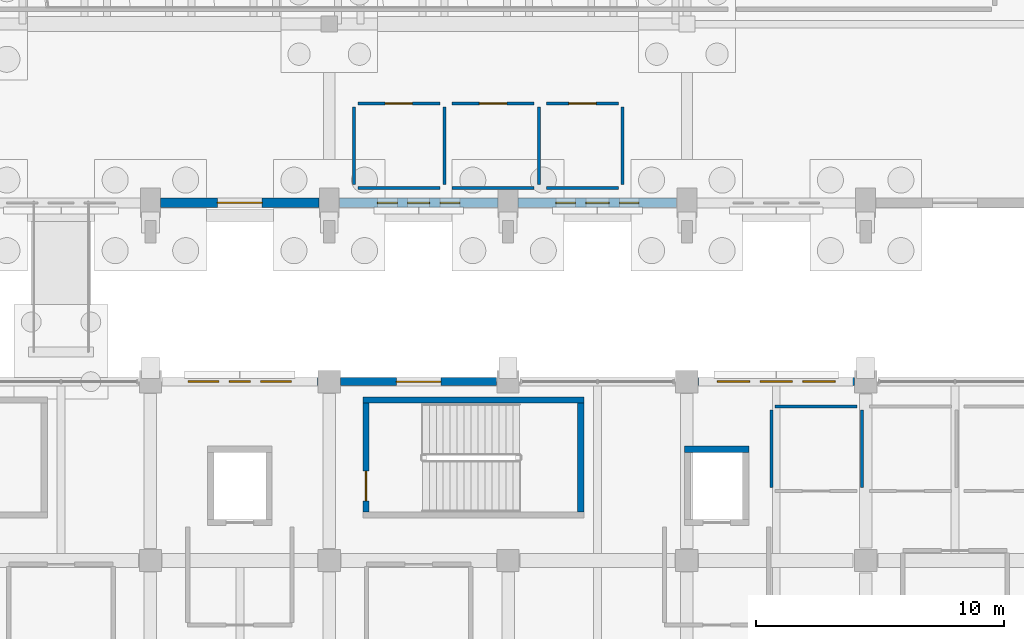
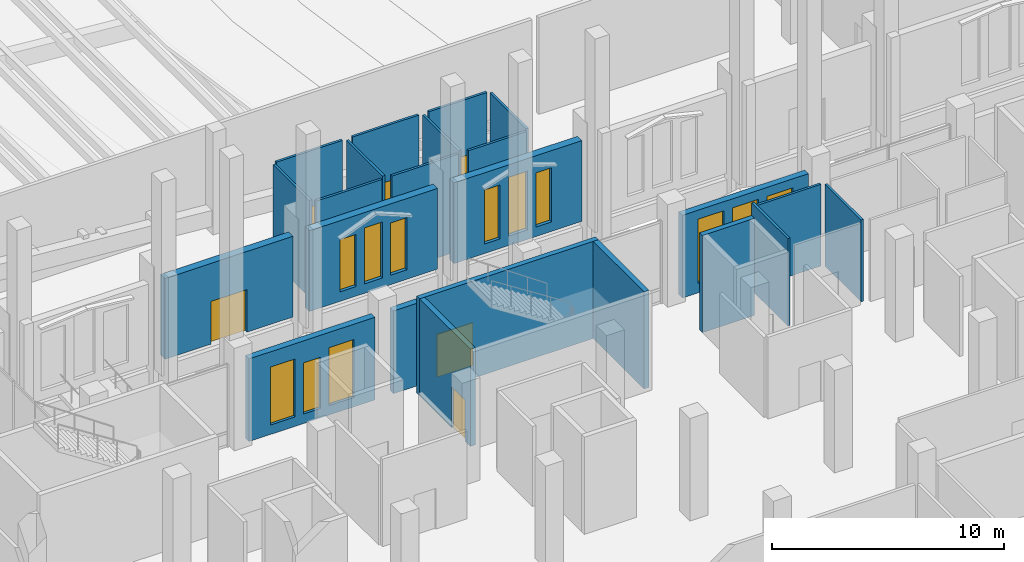
# One storey, part 141 of 192: 23 walls, 12 windows, 6 doors, 18 openings.
"""IFC4 building model written with IfcOpenShell, lengths in metres."""

import ifcopenshell
import ifcopenshell.guid

model = None  # the IFC model being written
_history = None  # IfcOwnerHistory: only IFC2X3 demands one
_inside = {}  # id of a spatial element -> (the spatial element, [elements in it])
_under = {}  # id of a project, library or spatial element -> (it, [spatial elements below it])
_declared = {}  # id of a project -> (the project, [libraries it declares])
_typed = {}  # id of a type object -> (the type object, [elements of that type])
_made_of = {}  # id of a material, layer set ... -> (it, [elements and type objects made of it])


def new_model(schema):
    """Start an empty IFC model of exactly this schema.

    Asked for "IFC4X3", IfcOpenShell would pick the latest addendum, in which some entities
    have other attributes; the version numbers below select the first issue.
    IFC2X3 requires an IfcOwnerHistory on every rooted entity: one is made here for all.
    """
    global model, _history
    if schema == "IFC4X3":
        model = ifcopenshell.file(schema_version=(4, 3, 0, 0))
    else:
        model = ifcopenshell.file(schema=schema)
    _inside.clear()
    _under.clear()
    _declared.clear()
    _typed.clear()
    _made_of.clear()
    _history = None
    if model.schema == "IFC2X3":
        org = make("IfcOrganization", Name="unknown")
        user = make(
            "IfcPersonAndOrganization",
            ThePerson=make("IfcPerson", FamilyName="unknown"),
            TheOrganization=org,
        )
        app = make(
            "IfcApplication",
            ApplicationDeveloper=org,
            Version="unknown",
            ApplicationFullName="unknown",
            ApplicationIdentifier="unknown",
        )
        _history = make(
            "IfcOwnerHistory",
            OwningUser=user,
            OwningApplication=app,
            ChangeAction="ADDED",
            CreationDate=0,
        )
    return model


def make(cls, **values):
    """One entity of the class cls with the attributes given. An attribute that is None is left unset."""
    return model.create_entity(
        cls, **{name: value for name, value in values.items() if value is not None}
    )


def rooted(cls, **values):
    """An entity with a GlobalId (a new one), such as an element, a storey or a relation."""
    return make(cls, GlobalId=ifcopenshell.guid.new(), OwnerHistory=_history, **values)


def si_unit(unit_type, name, prefix=None):
    """IfcSIUnit, for example si_unit("LENGTHUNIT", "METRE", prefix="MILLI")."""
    return make("IfcSIUnit", UnitType=unit_type, Prefix=prefix, Name=name)


def assignment(units):
    """IfcUnitAssignment: the units of a project."""
    return None if units is None else make("IfcUnitAssignment", Units=units)


def point(xyz):
    """IfcCartesianPoint."""
    return None if xyz is None else make("IfcCartesianPoint", Coordinates=xyz)


def direction(xyz):
    """IfcDirection."""
    return None if xyz is None else make("IfcDirection", DirectionRatios=xyz)


def frame(location, z_axis=None, x_axis=None):
    """IfcAxis2Placement3D, a coordinate frame: its origin and axes. An axis left out is left unset."""
    return make(
        "IfcAxis2Placement3D",
        Location=point(location),
        Axis=direction(z_axis),
        RefDirection=direction(x_axis),
    )


def frame_2d(location, x_axis=None):
    """IfcAxis2Placement2D, a coordinate frame in the plane: its origin and x axis."""
    return make(
        "IfcAxis2Placement2D", Location=point(location), RefDirection=direction(x_axis)
    )


def origin():
    """The frame at (0, 0, 0) with its axes left unset."""
    return frame((0.0, 0.0, 0.0))


def place(relative_to, where):
    """IfcLocalPlacement: puts the frame where relative to a parent placement (None: the world)."""
    return make(
        "IfcLocalPlacement", PlacementRelTo=relative_to, RelativePlacement=where
    )


def context(
    kind, dimensions, precision=None, world=None, true_north=None, identifier=None
):
    """IfcGeometricRepresentationContext, for example the 3D "Model" context."""
    return make(
        "IfcGeometricRepresentationContext",
        ContextIdentifier=identifier,
        ContextType=kind,
        CoordinateSpaceDimension=dimensions,
        Precision=precision,
        WorldCoordinateSystem=world,
        TrueNorth=true_north,
    )


def subcontext(parent, identifier, kind, view, scale=None):
    """IfcGeometricRepresentationSubContext, for example "Body" below "Model"."""
    return make(
        "IfcGeometricRepresentationSubContext",
        ContextIdentifier=identifier,
        ContextType=kind,
        ParentContext=parent,
        TargetScale=scale,
        TargetView=view,
    )


def project(units=None, contexts=None):
    """IfcProject with its units and contexts."""
    return rooted(
        "IfcProject",
        Name="project",
        RepresentationContexts=contexts,
        UnitsInContext=assignment(units),
    )


def spatial(cls, under=None, at=None, **own):
    """A site, building, storey or space (cls), placed at a placement, below another one or the project."""
    s = rooted(cls, ObjectPlacement=at, **own)
    if under is not None:
        _under.setdefault(under.id(), (under, []))[1].append(s)
    return s


def profile(cls, at=None, kind="AREA", **sizes):
    """A parametric profile (cls). Its sizes go by their IFC names, for example OverallWidth=200.0."""
    return make(cls, ProfileType=kind, Position=at, **sizes)


def rectangle(**sizes):
    """IfcRectangleProfileDef."""
    return profile("IfcRectangleProfileDef", **sizes)


def extrude(swept, where, along, depth):
    """IfcExtrudedAreaSolid: the profile swept, set in the frame where, extruded along a direction by depth."""
    return make(
        "IfcExtrudedAreaSolid",
        SweptArea=swept,
        Position=where,
        ExtrudedDirection=direction(along),
        Depth=depth,
    )


def shape(context_of_items, identifier, shape_type, items):
    """IfcShapeRepresentation: the items that make up one representation, for example the "Body"."""
    return make(
        "IfcShapeRepresentation",
        ContextOfItems=context_of_items,
        RepresentationIdentifier=identifier,
        RepresentationType=shape_type,
        Items=items,
    )


def material(Name=None, Category=None):
    """IfcMaterial."""
    return make("IfcMaterial", Name=Name, Category=Category)


def layer(
    of_material, thickness, ventilated=None, Name=None, Category=None, Priority=None
):
    """IfcMaterialLayer: one layer of a wall or slab, of a material (None: an air gap)."""
    return make(
        "IfcMaterialLayer",
        Material=of_material,
        LayerThickness=thickness,
        IsVentilated=ventilated,
        Name=Name,
        Category=Category,
        Priority=Priority,
    )


def layer_set(layers, Name=None):
    """IfcMaterialLayerSet."""
    return make("IfcMaterialLayerSet", MaterialLayers=layers, LayerSetName=Name)


def made_of(thing, what):
    """Note that an element or type object is made of a material, layer set ...; save() writes the relation."""
    if what is not None:
        _made_of.setdefault(what.id(), (what, []))[1].append(thing)
    return thing


def type_object(cls, material=None, **own):
    """A type object (cls), such as IfcWallType, which elements share."""
    return made_of(rooted(cls, **own), material)


def element(
    cls,
    number,
    at=None,
    inside=None,
    cuts=None,
    type_object=None,
    material=None,
    context=None,
    identifier="Body",
    shape_type=None,
    held_by="IfcProductDefinitionShape",
    body=None,
    shapes=None,
    **own,
):
    """One element of the class cls, such as IfcWall. Its Tag is "e" and its number.

    at: its placement. inside: the storey or other place that contains it. cuts: it is an
    opening in that element (IfcRelVoidsElement). A single representation is given by context,
    identifier, shape_type and body (its items); several are given by shapes. held_by: the class
    of the entity that holds the representations. save() writes the other relations.
    """
    e = rooted(cls, Tag="e%d" % number, ObjectPlacement=at, **own)
    if body is not None:
        shapes = [shape(context, identifier, shape_type, body)]
    if shapes is not None:
        e.Representation = make(held_by, Representations=shapes)
    if inside is not None:
        _inside.setdefault(inside.id(), (inside, []))[1].append(e)
    if cuts is not None:
        rooted(
            "IfcRelVoidsElement", RelatingBuildingElement=cuts, RelatedOpeningElement=e
        )
    if type_object is not None:
        _typed.setdefault(type_object.id(), (type_object, []))[1].append(e)
    return made_of(e, material)


def fill(opening, filler):
    """IfcRelFillsElement: the door or window that sits in an opening."""
    return rooted(
        "IfcRelFillsElement",
        RelatingOpeningElement=opening,
        RelatedBuildingElement=filler,
    )


def aggregate(whole, parts):
    """IfcRelAggregates: a whole, such as a stair, and the parts it consists of."""
    return rooted("IfcRelAggregates", RelatingObject=whole, RelatedObjects=parts)


def save(model, path):
    """Write the relations noted so far, then the file.

    IfcRelAggregates (storeys below a building ...), IfcRelContainedInSpatialStructure (elements
    in a storey), IfcRelDefinesByType, IfcRelAssociatesMaterial and IfcRelDeclares: one each for
    every whole, place, type object, material and project.
    """
    for whole, parts in _under.values():
        aggregate(whole, parts)
    for where, things in _inside.values():
        rooted(
            "IfcRelContainedInSpatialStructure",
            RelatedElements=things,
            RelatingStructure=where,
        )
    for kind, things in _typed.values():
        rooted("IfcRelDefinesByType", RelatedObjects=things, RelatingType=kind)
    for what, things in _made_of.values():
        rooted("IfcRelAssociatesMaterial", RelatedObjects=things, RelatingMaterial=what)
    for by, libraries in _declared.values():
        rooted("IfcRelDeclares", RelatingContext=by, RelatedDefinitions=libraries)
    model.write(path)


model = new_model("IFC4")

# Units and contexts
model_context = context("Model", 3, precision=1e-05, world=origin(), true_north=direction((0.0, 1.0)))
body_context = subcontext(model_context, "Body", "Model", "MODEL_VIEW")
ifc_project = project(units=[si_unit("LENGTHUNIT", "METRE"), si_unit("AREAUNIT", "SQUARE_METRE"), si_unit("VOLUMEUNIT", "CUBIC_METRE"), si_unit("PLANEANGLEUNIT", "RADIAN"), si_unit("MASSUNIT", "GRAM", prefix="KILO")], contexts=[model_context])

# Site, building, storey
site_placement = place(None, origin())
site = spatial("IfcSite", under=ifc_project, at=site_placement, CompositionType="ELEMENT")
building_placement = place(site_placement, origin())
building = spatial("IfcBuilding", under=site, at=building_placement, Name="Cendralis Lancet Convention Centre", CompositionType="ELEMENT")
storey_placement = place(building_placement, origin())
storey = spatial("IfcBuildingStorey", under=building, at=storey_placement, Name="L00", CompositionType="ELEMENT", Elevation=0.0)

# Wall, openings, windows
ifc_material_1 = material(Name="Buff sandstone ashlar and Concrete G40 (C40/50)", Category="masonry")
ifc_layer_1 = layer(ifc_material_1, 0.320068359375, Name="Buff sandstone ashlar and Concrete G40 (C40/50)")
ifc_layer_set_1 = layer_set([ifc_layer_1], Name="Buff sandstone ashlar and Concrete G40 (C40/50)")
wall_type_1 = type_object("IfcWallType", Name="ARC-EW-W320", PredefinedType="STANDARD", material=ifc_layer_set_1)
wall_1_placement = place(storey_placement, frame((161.258056640625, 36.0, 0.0), z_axis=(0.0, 0.0, 1.0), x_axis=(1.0, 0.0, 0.0)))
wall_1 = element("IfcWall", 1, at=wall_1_placement, inside=storey, type_object=wall_type_1, Name="L00 V5 Exterior Wall EW-06 #0249", PredefinedType="STANDARD", context=body_context, shape_type="SweptSolid", body=[
    extrude(rectangle(XDim=6.283935546875, YDim=0.320068359375, at=frame_2d((3.14208984375, 0.0))), origin(), (0.0, 0.0, 1.0), 4.35498046875),
])
opening_1_placement = place(wall_1_placement, frame((1.06201171875, 0.0, 0.5)))
opening_1 = element("IfcOpeningElement", 2, at=opening_1_placement, cuts=wall_1, Name="Opening WN-16", PredefinedType="OPENING", context=body_context, shape_type="SweptSolid", body=[
    extrude(rectangle(XDim=1.239990234375, YDim=3.050048828125, at=frame_2d((0.6201171875, 1.52490234375))), frame((0.0, 0.169921875, 0.0), z_axis=(0.0, -1.0, 0.0), x_axis=(1.0, 0.0, 0.0)), (0.0, 0.0, 1.0), 0.340087890625),
])
opening_2_placement = place(wall_1_placement, frame((2.721923828125, 0.0, 0.5)))
opening_2 = element("IfcOpeningElement", 3, at=opening_2_placement, cuts=wall_1, Name="Opening WN-15", PredefinedType="OPENING", context=body_context, shape_type="SweptSolid", body=[
    extrude(rectangle(XDim=0.840087890625, YDim=2.699951171875, at=frame_2d((0.419921875, 1.35009765625))), frame((0.0, 0.169921875, 0.0), z_axis=(0.0, -1.0, 0.0), x_axis=(1.0, 0.0, 0.0)), (0.0, 0.0, 1.0), 0.340087890625),
])
opening_3_placement = place(wall_1_placement, frame((3.98193359375, 0.0, 0.5)))
opening_3 = element("IfcOpeningElement", 4, at=opening_3_placement, cuts=wall_1, Name="Opening WN-16", PredefinedType="OPENING", context=body_context, shape_type="SweptSolid", body=[
    extrude(rectangle(XDim=1.239990234375, YDim=3.050048828125, at=frame_2d((0.6201171875, 1.52490234375))), frame((0.0, 0.169921875, 0.0), z_axis=(0.0, -1.0, 0.0), x_axis=(1.0, 0.0, 0.0)), (0.0, 0.0, 1.0), 0.340087890625),
])
ifc_material_2 = material(Name="Double-glazed low-E solar-control glass", Category="glass")
window_type_1 = type_object("IfcWindowType", Name="ARC-WN-LW15", PartitioningType="SINGLE_PANEL", PredefinedType="WINDOW", material=ifc_material_2)
window_1_placement = place(opening_2_placement, origin())
window_1 = element("IfcWindow", 5, at=window_1_placement, inside=storey, type_object=window_type_1, Name="Gothic Lancet Window WN-15 #0476", OverallHeight=2.699951171875, OverallWidth=0.840087890625, PartitioningType="SINGLE_PANEL", PredefinedType="WINDOW", context=body_context, shape_type="SweptSolid", body=[
    extrude(rectangle(XDim=0.840087890625, YDim=2.699951171875, at=frame_2d((0.419921875, 1.35009765625))), frame((0.0, 0.030029296875, 0.0), z_axis=(0.0, -1.0, 0.0), x_axis=(1.0, 0.0, 0.0)), (0.0, 0.0, 1.0), 0.06005859375),
])
fill(opening_2, window_1)
window_type_2 = type_object("IfcWindowType", Name="ARC-WN-LW16", PartitioningType="SINGLE_PANEL", PredefinedType="WINDOW", material=ifc_material_2)
window_2_placement = place(opening_1_placement, origin())
window_2 = element("IfcWindow", 6, at=window_2_placement, inside=storey, type_object=window_type_2, Name="Gothic Lancet Window WN-16 #0475", OverallHeight=3.050048828125, OverallWidth=1.239990234375, PartitioningType="SINGLE_PANEL", PredefinedType="WINDOW", context=body_context, shape_type="SweptSolid", body=[
    extrude(rectangle(XDim=1.239990234375, YDim=3.050048828125, at=frame_2d((0.6201171875, 1.52490234375))), frame((0.0, 0.030029296875, 0.0), z_axis=(0.0, -1.0, 0.0), x_axis=(1.0, 0.0, 0.0)), (0.0, 0.0, 1.0), 0.06005859375),
])
fill(opening_1, window_2)
window_3_placement = place(opening_3_placement, origin())
window_3 = element("IfcWindow", 7, at=window_3_placement, inside=storey, type_object=window_type_2, Name="Gothic Lancet Window WN-16 #0477", OverallHeight=3.050048828125, OverallWidth=1.239990234375, PartitioningType="SINGLE_PANEL", PredefinedType="WINDOW", context=body_context, shape_type="SweptSolid", body=[
    extrude(rectangle(XDim=1.239990234375, YDim=3.050048828125, at=frame_2d((0.6201171875, 1.52490234375))), frame((0.0, 0.030029296875, 0.0), z_axis=(0.0, -1.0, 0.0), x_axis=(1.0, 0.0, 0.0)), (0.0, 0.0, 1.0), 0.06005859375),
])
fill(opening_3, window_3)

# Wall, opening, door
wall_2_placement = place(storey_placement, frame((168.4580078125, 36.0, 0.0), z_axis=(0.0, 0.0, 1.0), x_axis=(1.0, 0.0, 0.0)))
wall_2 = element("IfcWall", 8, at=wall_2_placement, inside=storey, type_object=wall_type_1, Name="L00 V5 Exterior Wall EW-06 #0250", PredefinedType="STANDARD", context=body_context, shape_type="SweptSolid", body=[
    extrude(rectangle(XDim=6.283935546875, YDim=0.320068359375, at=frame_2d((3.14208984375, 0.0))), origin(), (0.0, 0.0, 1.0), 4.35498046875),
])
opening_4_placement = place(wall_2_placement, frame((2.241943359375, 0.0, 0.0)))
opening_4 = element("IfcOpeningElement", 9, at=opening_4_placement, cuts=wall_2, Name="Opening EX-D1", PredefinedType="OPENING", context=body_context, shape_type="SweptSolid", body=[
    extrude(rectangle(XDim=1.800048828125, YDim=2.25, at=frame_2d((0.89990234375, 1.125))), frame((0.0, 0.169921875, 0.0), z_axis=(0.0, -1.0, 0.0), x_axis=(1.0, 0.0, 0.0)), (0.0, 0.0, 1.0), 0.340087890625),
])
ifc_material_3 = material(Name="Anodised bronze architectural aluminium", Category="aluminium")
door_type_1 = type_object("IfcDoorType", Name="ARC-DR-EX18", OperationType="NOTDEFINED", PredefinedType="DOOR", material=ifc_material_3)
door_1_placement = place(opening_4_placement, origin())
door_1 = element("IfcDoor", 10, at=door_1_placement, inside=storey, type_object=door_type_1, Name="L00-D048 Pedestrian Final Exit Door EX-53 #053", OperationType="DOUBLE_DOOR_SINGLE_SWING", OverallHeight=2.25, OverallWidth=1.800048828125, PredefinedType="DOOR", context=body_context, shape_type="SweptSolid", body=[
    extrude(rectangle(XDim=1.800048828125, YDim=2.25, at=frame_2d((0.89990234375, 1.125))), frame((0.0, 0.02490234375, 0.0), z_axis=(0.0, -1.0, 0.0), x_axis=(1.0, 0.0, 0.0)), (0.0, 0.0, 1.0), 0.050048828125),
])
fill(opening_4, door_1)

# Wall, openings, windows
wall_3_placement = place(storey_placement, frame((182.85791015625, 36.0, 0.0), z_axis=(0.0, 0.0, 1.0), x_axis=(1.0, 0.0, 0.0)))
wall_3 = element("IfcWall", 11, at=wall_3_placement, inside=storey, type_object=wall_type_1, Name="L00 V5 Exterior Wall EW-06 #0251", PredefinedType="STANDARD", context=body_context, shape_type="SweptSolid", body=[
    extrude(rectangle(XDim=6.2841796875, YDim=0.320068359375, at=frame_2d((3.14208984375, 0.0))), origin(), (0.0, 0.0, 1.0), 4.35498046875),
])
opening_5_placement = place(wall_3_placement, frame((0.77197265625, 0.0, 0.5)))
opening_5 = element("IfcOpeningElement", 12, at=opening_5_placement, cuts=wall_3, Name="Opening WN-18", PredefinedType="OPENING", context=body_context, shape_type="SweptSolid", body=[
    extrude(rectangle(XDim=1.300048828125, YDim=3.3798828125, at=frame_2d((0.64990234375, 1.68994140625))), frame((0.0, 0.169921875, 0.0), z_axis=(0.0, -1.0, 0.0), x_axis=(1.0, 0.0, 0.0)), (0.0, 0.0, 1.0), 0.340087890625),
])
opening_6_placement = place(wall_3_placement, frame((2.491943359375, 0.0, 0.5)))
opening_6 = element("IfcOpeningElement", 13, at=opening_6_placement, cuts=wall_3, Name="Opening WN-18", PredefinedType="OPENING", context=body_context, shape_type="SweptSolid", body=[
    extrude(rectangle(XDim=1.300048828125, YDim=3.3798828125, at=frame_2d((0.64990234375, 1.68994140625))), frame((0.0, 0.169921875, 0.0), z_axis=(0.0, -1.0, 0.0), x_axis=(1.0, 0.0, 0.0)), (0.0, 0.0, 1.0), 0.340087890625),
])
opening_7_placement = place(wall_3_placement, frame((4.2119140625, 0.0, 0.5)))
opening_7 = element("IfcOpeningElement", 14, at=opening_7_placement, cuts=wall_3, Name="Opening WN-18", PredefinedType="OPENING", context=body_context, shape_type="SweptSolid", body=[
    extrude(rectangle(XDim=1.300048828125, YDim=3.3798828125, at=frame_2d((0.64990234375, 1.68994140625))), frame((0.0, 0.169921875, 0.0), z_axis=(0.0, -1.0, 0.0), x_axis=(1.0, 0.0, 0.0)), (0.0, 0.0, 1.0), 0.340087890625),
])
window_type_3 = type_object("IfcWindowType", Name="ARC-WN-LW18", PartitioningType="SINGLE_PANEL", PredefinedType="WINDOW", material=ifc_material_2)
window_4_placement = place(opening_5_placement, origin())
window_4 = element("IfcWindow", 15, at=window_4_placement, inside=storey, type_object=window_type_3, Name="Gothic Lancet Window WN-18 #0478", OverallHeight=3.3798828125, OverallWidth=1.300048828125, PartitioningType="SINGLE_PANEL", PredefinedType="WINDOW", context=body_context, shape_type="SweptSolid", body=[
    extrude(rectangle(XDim=1.300048828125, YDim=3.3798828125, at=frame_2d((0.64990234375, 1.68994140625))), frame((0.0, 0.030029296875, 0.0), z_axis=(0.0, -1.0, 0.0), x_axis=(1.0, 0.0, 0.0)), (0.0, 0.0, 1.0), 0.06005859375),
])
fill(opening_5, window_4)
window_5_placement = place(opening_6_placement, origin())
window_5 = element("IfcWindow", 16, at=window_5_placement, inside=storey, type_object=window_type_3, Name="Gothic Lancet Window WN-18 #0479", OverallHeight=3.3798828125, OverallWidth=1.300048828125, PartitioningType="SINGLE_PANEL", PredefinedType="WINDOW", context=body_context, shape_type="SweptSolid", body=[
    extrude(rectangle(XDim=1.300048828125, YDim=3.3798828125, at=frame_2d((0.64990234375, 1.68994140625))), frame((0.0, 0.030029296875, 0.0), z_axis=(0.0, -1.0, 0.0), x_axis=(1.0, 0.0, 0.0)), (0.0, 0.0, 1.0), 0.06005859375),
])
fill(opening_6, window_5)
window_6_placement = place(opening_7_placement, origin())
window_6 = element("IfcWindow", 17, at=window_6_placement, inside=storey, type_object=window_type_3, Name="Gothic Lancet Window WN-18 #0480", OverallHeight=3.3798828125, OverallWidth=1.300048828125, PartitioningType="SINGLE_PANEL", PredefinedType="WINDOW", context=body_context, shape_type="SweptSolid", body=[
    extrude(rectangle(XDim=1.300048828125, YDim=3.3798828125, at=frame_2d((0.64990234375, 1.68994140625))), frame((0.0, 0.030029296875, 0.0), z_axis=(0.0, -1.0, 0.0), x_axis=(1.0, 0.0, 0.0)), (0.0, 0.0, 1.0), 0.06005859375),
])
fill(opening_7, window_6)

# Wall, opening, door
ifc_layer_2 = layer(ifc_material_1, 0.3798828125, Name="Buff sandstone ashlar and Concrete G40 (C40/50)")
ifc_layer_set_2 = layer_set([ifc_layer_2], Name="Buff sandstone ashlar and Concrete G40 (C40/50)")
wall_type_2 = type_object("IfcWallType", Name="ARC-EW-W380", PredefinedType="STANDARD", material=ifc_layer_set_2)
wall_4_placement = place(storey_placement, frame((167.592041015625, 43.199951171875, 0.0), z_axis=(0.0, 0.0, 1.0), x_axis=(-1.0, 0.0, 0.0)))
wall_4 = element("IfcWall", 18, at=wall_4_placement, inside=storey, type_object=wall_type_2, Name="L00 V2 Exterior Wall EW-03 #0070", PredefinedType="STANDARD", context=body_context, shape_type="SweptSolid", body=[
    extrude(rectangle(XDim=6.384033203125, YDim=0.3798828125, at=frame_2d((3.19189453125, 0.0))), origin(), (0.0, 0.0, 1.0), 4.2548828125),
])
opening_8_placement = place(wall_4_placement, frame((2.2919921875, 0.0, 0.0)))
opening_8 = element("IfcOpeningElement", 19, at=opening_8_placement, cuts=wall_4, Name="Opening EX-D1", PredefinedType="OPENING", context=body_context, shape_type="SweptSolid", body=[
    extrude(rectangle(XDim=1.800048828125, YDim=2.25, at=frame_2d((0.89990234375, 1.125))), frame((0.0, 0.199951171875, 0.0), z_axis=(0.0, -1.0, 0.0), x_axis=(1.0, 0.0, 0.0)), (0.0, 0.0, 1.0), 0.39990234375),
])
door_2_placement = place(opening_8_placement, origin())
door_2 = element("IfcDoor", 20, at=door_2_placement, inside=storey, type_object=door_type_1, Name="L00-D028 Pedestrian Final Exit Door EX-28 #028", OperationType="DOUBLE_DOOR_SINGLE_SWING", OverallHeight=2.25, OverallWidth=1.800048828125, PredefinedType="DOOR", context=body_context, shape_type="SweptSolid", body=[
    extrude(rectangle(XDim=1.800048828125, YDim=2.25, at=frame_2d((0.89990234375, 1.125))), frame((0.0, 0.02490234375, 0.0), z_axis=(0.0, -1.0, 0.0), x_axis=(1.0, 0.0, 0.0)), (0.0, 0.0, 1.0), 0.050048828125),
])
fill(opening_8, door_2)

# Wall, openings, windows
wall_5_placement = place(storey_placement, frame((174.7919921875, 43.199951171875, 0.0), z_axis=(0.0, 0.0, 1.0), x_axis=(-1.0, 0.0, 0.0)))
wall_5 = element("IfcWall", 21, at=wall_5_placement, inside=storey, type_object=wall_type_2, Name="L00 V2 Exterior Wall EW-03 #0071", PredefinedType="STANDARD", context=body_context, shape_type="SweptSolid", body=[
    extrude(rectangle(XDim=6.384033203125, YDim=0.3798828125, at=frame_2d((3.19189453125, 0.0))), origin(), (0.0, 0.0, 1.0), 4.2548828125),
])
opening_9_placement = place(wall_5_placement, frame((1.531982421875, 0.0, 0.5)))
opening_9 = element("IfcOpeningElement", 22, at=opening_9_placement, cuts=wall_5, Name="Opening WN-07", PredefinedType="OPENING", context=body_context, shape_type="SweptSolid", body=[
    extrude(rectangle(XDim=0.800048828125, YDim=2.75, at=frame_2d((0.39990234375, 1.375))), frame((0.0, 0.199951171875, 0.0), z_axis=(0.0, -1.0, 0.0), x_axis=(1.0, 0.0, 0.0)), (0.0, 0.0, 1.0), 0.39990234375),
])
opening_10_placement = place(wall_5_placement, frame((2.751953125, 0.0, 0.5)))
opening_10 = element("IfcOpeningElement", 23, at=opening_10_placement, cuts=wall_5, Name="Opening WN-08", PredefinedType="OPENING", context=body_context, shape_type="SweptSolid", body=[
    extrude(rectangle(XDim=0.8798828125, YDim=2.949951171875, at=frame_2d((0.43994140625, 1.47509765625))), frame((0.0, 0.199951171875, 0.0), z_axis=(0.0, -1.0, 0.0), x_axis=(1.0, 0.0, 0.0)), (0.0, 0.0, 1.0), 0.39990234375),
])
opening_11_placement = place(wall_5_placement, frame((4.052001953125, 0.0, 0.5)))
opening_11 = element("IfcOpeningElement", 24, at=opening_11_placement, cuts=wall_5, Name="Opening WN-07", PredefinedType="OPENING", context=body_context, shape_type="SweptSolid", body=[
    extrude(rectangle(XDim=0.800048828125, YDim=2.75, at=frame_2d((0.39990234375, 1.375))), frame((0.0, 0.199951171875, 0.0), z_axis=(0.0, -1.0, 0.0), x_axis=(1.0, 0.0, 0.0)), (0.0, 0.0, 1.0), 0.39990234375),
])
window_type_4 = type_object("IfcWindowType", Name="ARC-WN-LW07", PartitioningType="SINGLE_PANEL", PredefinedType="WINDOW", material=ifc_material_2)
window_7_placement = place(opening_9_placement, origin())
window_7 = element("IfcWindow", 25, at=window_7_placement, inside=storey, type_object=window_type_4, Name="Gothic Lancet Window WN-07 #0112", OverallHeight=2.75, OverallWidth=0.800048828125, PartitioningType="SINGLE_PANEL", PredefinedType="WINDOW", context=body_context, shape_type="SweptSolid", body=[
    extrude(rectangle(XDim=0.800048828125, YDim=2.75, at=frame_2d((0.39990234375, 1.375))), frame((0.0, 0.030029296875, 0.0), z_axis=(0.0, -1.0, 0.0), x_axis=(1.0, 0.0, 0.0)), (0.0, 0.0, 1.0), 0.06005859375),
])
fill(opening_9, window_7)
window_8_placement = place(opening_11_placement, origin())
window_8 = element("IfcWindow", 26, at=window_8_placement, inside=storey, type_object=window_type_4, Name="Gothic Lancet Window WN-07 #0114", OverallHeight=2.75, OverallWidth=0.800048828125, PartitioningType="SINGLE_PANEL", PredefinedType="WINDOW", context=body_context, shape_type="SweptSolid", body=[
    extrude(rectangle(XDim=0.800048828125, YDim=2.75, at=frame_2d((0.39990234375, 1.375))), frame((0.0, 0.030029296875, 0.0), z_axis=(0.0, -1.0, 0.0), x_axis=(1.0, 0.0, 0.0)), (0.0, 0.0, 1.0), 0.06005859375),
])
fill(opening_11, window_8)
window_type_5 = type_object("IfcWindowType", Name="ARC-WN-LW08", PartitioningType="SINGLE_PANEL", PredefinedType="WINDOW", material=ifc_material_2)
window_9_placement = place(opening_10_placement, origin())
window_9 = element("IfcWindow", 27, at=window_9_placement, inside=storey, type_object=window_type_5, Name="Gothic Lancet Window WN-08 #0113", OverallHeight=2.949951171875, OverallWidth=0.8798828125, PartitioningType="SINGLE_PANEL", PredefinedType="WINDOW", context=body_context, shape_type="SweptSolid", body=[
    extrude(rectangle(XDim=0.8798828125, YDim=2.949951171875, at=frame_2d((0.43994140625, 1.47509765625))), frame((0.0, 0.030029296875, 0.0), z_axis=(0.0, -1.0, 0.0), x_axis=(1.0, 0.0, 0.0)), (0.0, 0.0, 1.0), 0.06005859375),
])
fill(opening_10, window_9)

wall_6_placement = place(storey_placement, frame((181.991943359375, 43.199951171875, 0.0), z_axis=(0.0, 0.0, 1.0), x_axis=(-1.0, 0.0, 0.0)))
wall_6 = element("IfcWall", 28, at=wall_6_placement, inside=storey, type_object=wall_type_2, Name="L00 V2 Exterior Wall EW-03 #0072", PredefinedType="STANDARD", context=body_context, shape_type="SweptSolid", body=[
    extrude(rectangle(XDim=6.384033203125, YDim=0.3798828125, at=frame_2d((3.19189453125, 0.0))), origin(), (0.0, 0.0, 1.0), 4.2548828125),
])
opening_12_placement = place(wall_6_placement, frame((1.52197265625, 0.0, 0.5)))
opening_12 = element("IfcOpeningElement", 29, at=opening_12_placement, cuts=wall_6, Name="Opening WN-01", PredefinedType="OPENING", context=body_context, shape_type="SweptSolid", body=[
    extrude(rectangle(XDim=0.780029296875, YDim=2.85009765625, at=frame_2d((0.39013671875, 1.425048828125))), frame((0.0, 0.199951171875, 0.0), z_axis=(0.0, -1.0, 0.0), x_axis=(1.0, 0.0, 0.0)), (0.0, 0.0, 1.0), 0.39990234375),
])
opening_13_placement = place(wall_6_placement, frame((2.721923828125, 0.0, 0.5)))
opening_13 = element("IfcOpeningElement", 30, at=opening_13_placement, cuts=wall_6, Name="Opening WN-09", PredefinedType="OPENING", context=body_context, shape_type="SweptSolid", body=[
    extrude(rectangle(XDim=0.93994140625, YDim=3.10009765625, at=frame_2d((0.469970703125, 1.550048828125))), frame((0.0, 0.199951171875, 0.0), z_axis=(0.0, -1.0, 0.0), x_axis=(1.0, 0.0, 0.0)), (0.0, 0.0, 1.0), 0.39990234375),
])
opening_14_placement = place(wall_6_placement, frame((4.08203125, 0.0, 0.5)))
opening_14 = element("IfcOpeningElement", 31, at=opening_14_placement, cuts=wall_6, Name="Opening WN-01", PredefinedType="OPENING", context=body_context, shape_type="SweptSolid", body=[
    extrude(rectangle(XDim=0.780029296875, YDim=2.85009765625, at=frame_2d((0.39013671875, 1.425048828125))), frame((0.0, 0.199951171875, 0.0), z_axis=(0.0, -1.0, 0.0), x_axis=(1.0, 0.0, 0.0)), (0.0, 0.0, 1.0), 0.39990234375),
])
window_type_6 = type_object("IfcWindowType", Name="ARC-WN-LW01", PartitioningType="SINGLE_PANEL", PredefinedType="WINDOW", material=ifc_material_2)
window_10_placement = place(opening_12_placement, origin())
window_10 = element("IfcWindow", 32, at=window_10_placement, inside=storey, type_object=window_type_6, Name="Gothic Lancet Window WN-01 #0115", OverallHeight=2.85009765625, OverallWidth=0.780029296875, PartitioningType="SINGLE_PANEL", PredefinedType="WINDOW", context=body_context, shape_type="SweptSolid", body=[
    extrude(rectangle(XDim=0.780029296875, YDim=2.85009765625, at=frame_2d((0.39013671875, 1.425048828125))), frame((0.0, 0.030029296875, 0.0), z_axis=(0.0, -1.0, 0.0), x_axis=(1.0, 0.0, 0.0)), (0.0, 0.0, 1.0), 0.06005859375),
])
fill(opening_12, window_10)
window_11_placement = place(opening_14_placement, origin())
window_11 = element("IfcWindow", 33, at=window_11_placement, inside=storey, type_object=window_type_6, Name="Gothic Lancet Window WN-01 #0117", OverallHeight=2.85009765625, OverallWidth=0.780029296875, PartitioningType="SINGLE_PANEL", PredefinedType="WINDOW", context=body_context, shape_type="SweptSolid", body=[
    extrude(rectangle(XDim=0.780029296875, YDim=2.85009765625, at=frame_2d((0.39013671875, 1.425048828125))), frame((0.0, 0.030029296875, 0.0), z_axis=(0.0, -1.0, 0.0), x_axis=(1.0, 0.0, 0.0)), (0.0, 0.0, 1.0), 0.06005859375),
])
fill(opening_14, window_11)
window_type_7 = type_object("IfcWindowType", Name="ARC-WN-LW09", PartitioningType="SINGLE_PANEL", PredefinedType="WINDOW", material=ifc_material_2)
window_12_placement = place(opening_13_placement, origin())
window_12 = element("IfcWindow", 34, at=window_12_placement, inside=storey, type_object=window_type_7, Name="Gothic Lancet Window WN-09 #0116", OverallHeight=3.10009765625, OverallWidth=0.93994140625, PartitioningType="SINGLE_PANEL", PredefinedType="WINDOW", context=body_context, shape_type="SweptSolid", body=[
    extrude(rectangle(XDim=0.93994140625, YDim=3.10009765625, at=frame_2d((0.469970703125, 1.550048828125))), frame((0.0, 0.030029296875, 0.0), z_axis=(0.0, -1.0, 0.0), x_axis=(1.0, 0.0, 0.0)), (0.0, 0.0, 1.0), 0.06005859375),
])
fill(opening_13, window_12)

# Wall, opening, door
ifc_material_4 = material(Name="Acoustic fire-rated gypsum board on steel studs", Category="steel")
ifc_layer_3 = layer(ifc_material_4, 0.1201171875, Name="Acoustic fire-rated gypsum board on steel studs")
ifc_layer_set_3 = layer_set([ifc_layer_3], Name="Acoustic fire-rated gypsum board on steel studs")
wall_type_3 = type_object("IfcWallType", Name="ARC-IW-P120", PredefinedType="PARTITIONING", material=ifc_layer_set_3)
wall_7_placement = place(storey_placement, frame((169.14990234375, 47.199951171875, 0.0), z_axis=(0.0, 0.0, 1.0), x_axis=(1.0, 0.0, 0.0)))
wall_7 = element("IfcWall", 35, at=wall_7_placement, inside=storey, type_object=wall_type_3, Name="L00 Interior Partition IW-05 #0069", PredefinedType="PARTITIONING", context=body_context, shape_type="SweptSolid", body=[
    extrude(rectangle(XDim=3.300048828125, YDim=0.1201171875, at=frame_2d((1.64990234375, 0.0))), origin(), (0.0, 0.0, 1.0), 5.10498046875),
])
opening_15_placement = place(wall_7_placement, frame((1.10009765625, 0.0, 0.0)))
opening_15 = element("IfcOpeningElement", 36, at=opening_15_placement, cuts=wall_7, Name="Opening FD-11", PredefinedType="OPENING", context=body_context, shape_type="SweptSolid", body=[
    extrude(rectangle(XDim=1.10009765625, YDim=2.14990234375, at=frame_2d((0.550048828125, 1.074951171875))), frame((0.0, 0.070068359375, 0.0), z_axis=(0.0, -1.0, 0.0), x_axis=(1.0, 0.0, 0.0)), (0.0, 0.0, 1.0), 0.14013671875),
])
ifc_material_5 = material(Name="Steel S355", Category="steel")
door_type_2 = type_object("IfcDoorType", Name="ARC-DR-FF11", OperationType="NOTDEFINED", PredefinedType="DOOR", material=ifc_material_5)
door_3_placement = place(opening_15_placement, frame((1.10009765625, 0.0, 0.0), z_axis=(0.0, 0.0, 1.0), x_axis=(-1.0, 0.0, 0.0)))
door_3 = element("IfcDoor", 37, at=door_3_placement, inside=storey, type_object=door_type_2, Name="L00-D063 L00 Interior Door FD-11 #0023", OperationType="SINGLE_SWING_LEFT", OverallHeight=2.14990234375, OverallWidth=1.10009765625, PredefinedType="DOOR", context=body_context, shape_type="SweptSolid", body=[
    extrude(rectangle(XDim=1.10009765625, YDim=2.14990234375, at=frame_2d((0.550048828125, 1.074951171875))), frame((0.0, 0.02490234375, 0.0), z_axis=(0.0, -1.0, 0.0), x_axis=(1.0, 0.0, 0.0)), (0.0, 0.0, 1.0), 0.050048828125),
])
fill(opening_15, door_3)

# Walls
wall_8_placement = place(storey_placement, frame((169.14990234375, 43.800048828125, 0.0), z_axis=(0.0, 0.0, 1.0), x_axis=(1.0, 0.0, 0.0)))
element("IfcWall", 38, at=wall_8_placement, inside=storey, type_object=wall_type_3, Name="L00 Interior Partition IW-05 #0070", PredefinedType="PARTITIONING", context=body_context, shape_type="SweptSolid", body=[
    extrude(rectangle(XDim=3.300048828125, YDim=0.1201171875, at=frame_2d((1.64990234375, 0.0))), origin(), (0.0, 0.0, 1.0), 5.10498046875),
])
for number, where, z_axis, x_axis, name in (
    (39, (169.0, 43.93994140625, 0.0), (0.0, 0.0, 1.0), (0.0, 1.0, 0.0), "L00 Interior Partition IW-05 #0071"),
    (40, (172.64990234375, 43.93994140625, 0.0), (0.0, 0.0, 1.0), (0.0, 1.0, 0.0), "L00 Interior Partition IW-05 #0072"),
):
    element("IfcWall", number, at=place(storey_placement, frame(where, z_axis=z_axis, x_axis=x_axis)), inside=storey, type_object=wall_type_3, Name=name, PredefinedType="PARTITIONING", context=body_context, shape_type="SweptSolid", body=[
        extrude(rectangle(XDim=3.1201171875, YDim=0.1201171875, at=frame_2d((1.56005859375, 0.0))), origin(), (0.0, 0.0, 1.0), 5.10498046875),
    ])

# Wall, opening, door
wall_9_placement = place(storey_placement, frame((172.949951171875, 47.199951171875, 0.0), z_axis=(0.0, 0.0, 1.0), x_axis=(1.0, 0.0, 0.0)))
wall_9 = element("IfcWall", 41, at=wall_9_placement, inside=storey, type_object=wall_type_3, Name="L00 Interior Partition IW-05 #0073", PredefinedType="PARTITIONING", context=body_context, shape_type="SweptSolid", body=[
    extrude(rectangle(XDim=3.300048828125, YDim=0.1201171875, at=frame_2d((1.64990234375, 0.0))), origin(), (0.0, 0.0, 1.0), 5.10498046875),
])
opening_16_placement = place(wall_9_placement, frame((1.10009765625, 0.0, 0.0)))
opening_16 = element("IfcOpeningElement", 42, at=opening_16_placement, cuts=wall_9, Name="Opening FD-11", PredefinedType="OPENING", context=body_context, shape_type="SweptSolid", body=[
    extrude(rectangle(XDim=1.10009765625, YDim=2.14990234375, at=frame_2d((0.550048828125, 1.074951171875))), frame((0.0, 0.070068359375, 0.0), z_axis=(0.0, -1.0, 0.0), x_axis=(1.0, 0.0, 0.0)), (0.0, 0.0, 1.0), 0.14013671875),
])
door_4_placement = place(opening_16_placement, origin())
door_4 = element("IfcDoor", 43, at=door_4_placement, inside=storey, type_object=door_type_2, Name="L00-D064 L00 Interior Door FD-11 #0024", OperationType="SINGLE_SWING_RIGHT", OverallHeight=2.14990234375, OverallWidth=1.10009765625, PredefinedType="DOOR", context=body_context, shape_type="SweptSolid", body=[
    extrude(rectangle(XDim=1.10009765625, YDim=2.14990234375, at=frame_2d((0.550048828125, 1.074951171875))), frame((0.0, 0.02490234375, 0.0), z_axis=(0.0, -1.0, 0.0), x_axis=(1.0, 0.0, 0.0)), (0.0, 0.0, 1.0), 0.050048828125),
])
fill(opening_16, door_4)

# Walls
wall_10_placement = place(storey_placement, frame((172.949951171875, 43.800048828125, 0.0), z_axis=(0.0, 0.0, 1.0), x_axis=(1.0, 0.0, 0.0)))
element("IfcWall", 44, at=wall_10_placement, inside=storey, type_object=wall_type_3, Name="L00 Interior Partition IW-05 #0074", PredefinedType="PARTITIONING", context=body_context, shape_type="SweptSolid", body=[
    extrude(rectangle(XDim=3.300048828125, YDim=0.1201171875, at=frame_2d((1.64990234375, 0.0))), origin(), (0.0, 0.0, 1.0), 5.10498046875),
])
wall_11_placement = place(storey_placement, frame((176.449951171875, 43.93994140625, 0.0), z_axis=(0.0, 0.0, 1.0), x_axis=(0.0, 1.0, 0.0)))
element("IfcWall", 45, at=wall_11_placement, inside=storey, type_object=wall_type_3, Name="L00 Interior Partition IW-05 #0075", PredefinedType="PARTITIONING", context=body_context, shape_type="SweptSolid", body=[
    extrude(rectangle(XDim=3.1201171875, YDim=0.1201171875, at=frame_2d((1.56005859375, 0.0))), origin(), (0.0, 0.0, 1.0), 5.10498046875),
])

# Wall, opening, door
wall_12_placement = place(storey_placement, frame((176.75, 47.199951171875, 0.0), z_axis=(0.0, 0.0, 1.0), x_axis=(1.0, 0.0, 0.0)))
wall_12 = element("IfcWall", 46, at=wall_12_placement, inside=storey, type_object=wall_type_3, Name="L00 Interior Partition IW-05 #0076", PredefinedType="PARTITIONING", context=body_context, shape_type="SweptSolid", body=[
    extrude(rectangle(XDim=2.89990234375, YDim=0.1201171875, at=frame_2d((1.449951171875, 0.0))), origin(), (0.0, 0.0, 1.0), 5.10498046875),
])
opening_17_placement = place(wall_12_placement, frame((0.89990234375, 0.0, 0.0)))
opening_17 = element("IfcOpeningElement", 47, at=opening_17_placement, cuts=wall_12, Name="Opening FD-11", PredefinedType="OPENING", context=body_context, shape_type="SweptSolid", body=[
    extrude(rectangle(XDim=1.10009765625, YDim=2.14990234375, at=frame_2d((0.550048828125, 1.074951171875))), frame((0.0, 0.070068359375, 0.0), z_axis=(0.0, -1.0, 0.0), x_axis=(1.0, 0.0, 0.0)), (0.0, 0.0, 1.0), 0.14013671875),
])
door_5_placement = place(opening_17_placement, frame((1.10009765625, 0.0, 0.0), z_axis=(0.0, 0.0, 1.0), x_axis=(-1.0, 0.0, 0.0)))
door_5 = element("IfcDoor", 48, at=door_5_placement, inside=storey, type_object=door_type_2, Name="L00-D065 L00 Interior Door FD-11 #0025", OperationType="SINGLE_SWING_LEFT", OverallHeight=2.14990234375, OverallWidth=1.10009765625, PredefinedType="DOOR", context=body_context, shape_type="SweptSolid", body=[
    extrude(rectangle(XDim=1.10009765625, YDim=2.14990234375, at=frame_2d((0.550048828125, 1.074951171875))), frame((0.0, 0.02490234375, 0.0), z_axis=(0.0, -1.0, 0.0), x_axis=(1.0, 0.0, 0.0)), (0.0, 0.0, 1.0), 0.050048828125),
])
fill(opening_17, door_5)

# Walls
wall_13_placement = place(storey_placement, frame((176.75, 43.800048828125, 0.0), z_axis=(0.0, 0.0, 1.0), x_axis=(1.0, 0.0, 0.0)))
element("IfcWall", 49, at=wall_13_placement, inside=storey, type_object=wall_type_3, Name="L00 Interior Partition IW-05 #0077", PredefinedType="PARTITIONING", context=body_context, shape_type="SweptSolid", body=[
    extrude(rectangle(XDim=2.89990234375, YDim=0.1201171875, at=frame_2d((1.449951171875, 0.0))), origin(), (0.0, 0.0, 1.0), 5.10498046875),
])
wall_14_placement = place(storey_placement, frame((179.800048828125, 43.93994140625, 0.0), z_axis=(0.0, 0.0, 1.0), x_axis=(0.0, 1.0, 0.0)))
element("IfcWall", 50, at=wall_14_placement, inside=storey, type_object=wall_type_3, Name="L00 Interior Partition IW-05 #0078", PredefinedType="PARTITIONING", context=body_context, shape_type="SweptSolid", body=[
    extrude(rectangle(XDim=3.1201171875, YDim=0.1201171875, at=frame_2d((1.56005859375, 0.0))), origin(), (0.0, 0.0, 1.0), 5.10498046875),
])
wall_15_placement = place(storey_placement, frame((185.949951171875, 35.0, 0.0), z_axis=(0.0, 0.0, 1.0), x_axis=(1.0, 0.0, 0.0)))
element("IfcWall", 51, at=wall_15_placement, inside=storey, type_object=wall_type_3, Name="L00 Interior Partition IW-05 #0358", PredefinedType="PARTITIONING", context=body_context, shape_type="SweptSolid", body=[
    extrude(rectangle(XDim=3.300048828125, YDim=0.1201171875, at=frame_2d((1.64990234375, 0.0))), origin(), (0.0, 0.0, 1.0), 4.304931640625),
])
wall_16_placement = place(storey_placement, frame((185.800048828125, 31.739990234375, 0.0), z_axis=(0.0, 0.0, 1.0), x_axis=(0.0, 1.0, 0.0)))
element("IfcWall", 52, at=wall_16_placement, inside=storey, type_object=wall_type_3, Name="L00 Interior Partition IW-05 #0359", PredefinedType="PARTITIONING", context=body_context, shape_type="SweptSolid", body=[
    extrude(rectangle(XDim=3.1201171875, YDim=0.1201171875, at=frame_2d((1.56005859375, 0.0))), origin(), (0.0, 0.0, 1.0), 4.60498046875),
])
wall_17_placement = place(storey_placement, frame((189.449951171875, 31.739990234375, 0.0), z_axis=(0.0, 0.0, 1.0), x_axis=(0.0, 1.0, 0.0)))
element("IfcWall", 53, at=wall_17_placement, inside=storey, type_object=wall_type_3, Name="L00 Interior Partition IW-05 #0360", PredefinedType="PARTITIONING", context=body_context, shape_type="SweptSolid", body=[
    extrude(rectangle(XDim=3.1201171875, YDim=0.1201171875, at=frame_2d((1.56005859375, 0.0))), origin(), (0.0, 0.0, 1.0), 4.304931640625),
])

# Wall, opening, door
ifc_material_6 = material(Name="Concrete G40 (C40/50)", Category="concrete")
ifc_layer_4 = layer(ifc_material_6, 0.25, Name="Concrete G40 (C40/50)")
ifc_layer_set_4 = layer_set([ifc_layer_4], Name="Concrete G40 (C40/50)")
wall_type_4 = type_object("IfcWallType", Name="STR-SW-CW250", PredefinedType="SHEAR", material=ifc_layer_set_4)
wall_18_placement = place(storey_placement, frame((169.47509765625, 30.75, 0.0), z_axis=(0.0, 0.0, 1.0), x_axis=(0.0, 1.0, 0.0)))
wall_18 = element("IfcWall", 54, at=wall_18_placement, inside=storey, type_object=wall_type_4, Name="L00 Stair Core ST-14 West Shear Wall", PredefinedType="SHEAR", context=body_context, shape_type="SweptSolid", body=[
    extrude(rectangle(XDim=4.3798828125, YDim=0.25, at=frame_2d((2.18994140625, 0.0))), origin(), (0.0, 0.0, 1.0), 5.1201171875),
])
opening_18_placement = place(wall_18_placement, frame((0.449951171875, 0.0, 0.0)))
opening_18 = element("IfcOpeningElement", 55, at=opening_18_placement, cuts=wall_18, Name="Opening SD-12", PredefinedType="OPENING", context=body_context, shape_type="SweptSolid", body=[
    extrude(rectangle(XDim=1.199951171875, YDim=2.14990234375, at=frame_2d((0.60009765625, 1.074951171875))), frame((0.0, 0.135009765625, 0.0), z_axis=(0.0, -1.0, 0.0), x_axis=(1.0, 0.0, 0.0)), (0.0, 0.0, 1.0), 0.27001953125),
])
door_type_3 = type_object("IfcDoorType", Name="ARC-DR-ST12", OperationType="NOTDEFINED", PredefinedType="DOOR", material=ifc_material_5)
door_6_placement = place(opening_18_placement, origin())
door_6 = element("IfcDoor", 56, at=door_6_placement, inside=storey, type_object=door_type_3, Name="L00-D131 L00 Exit Stair ST-14 Fire Door", OperationType="SINGLE_SWING_RIGHT", OverallHeight=2.14990234375, OverallWidth=1.199951171875, PredefinedType="DOOR", context=body_context, shape_type="SweptSolid", body=[
    extrude(rectangle(XDim=1.199951171875, YDim=2.14990234375, at=frame_2d((0.60009765625, 1.074951171875))), frame((0.0, 0.02490234375, 0.0), z_axis=(0.0, -1.0, 0.0), x_axis=(1.0, 0.0, 0.0)), (0.0, 0.0, 1.0), 0.050048828125),
])
fill(opening_18, door_6)

# Walls
wall_19_placement = place(storey_placement, frame((178.125, 30.75, 0.0), z_axis=(0.0, 0.0, 1.0), x_axis=(0.0, 1.0, 0.0)))
element("IfcWall", 57, at=wall_19_placement, inside=storey, type_object=wall_type_4, Name="L00 Stair Core ST-14 East Shear Wall", PredefinedType="SHEAR", context=body_context, shape_type="SweptSolid", body=[
    extrude(rectangle(XDim=4.3798828125, YDim=0.25, at=frame_2d((2.18994140625, 0.0))), origin(), (0.0, 0.0, 1.0), 5.1201171875),
])
wall_20_placement = place(storey_placement, frame((169.35009765625, 35.2548828125, 0.0), z_axis=(0.0, 0.0, 1.0), x_axis=(1.0, 0.0, 0.0)))
element("IfcWall", 58, at=wall_20_placement, inside=storey, type_object=wall_type_4, Name="L00 Stair Core ST-14 North Shear Wall", PredefinedType="SHEAR", context=body_context, shape_type="SweptSolid", body=[
    extrude(rectangle(XDim=8.89990234375, YDim=0.25, at=frame_2d((4.449951171875, 0.0))), origin(), (0.0, 0.0, 1.0), 5.1201171875),
])
wall_21_placement = place(storey_placement, frame((182.300048828125, 33.27490234375, 0.0), z_axis=(0.0, 0.0, 1.0), x_axis=(1.0, 0.0, 0.0)))
element("IfcWall", 59, at=wall_21_placement, inside=storey, type_object=wall_type_4, Name="L00 Lift LF-02 North Shaft Wall", PredefinedType="SHEAR", context=body_context, shape_type="SweptSolid", body=[
    extrude(rectangle(XDim=2.599853515625, YDim=0.25, at=frame_2d((1.2998046875, 0.0))), origin(), (0.0, 0.0, 1.0), 5.1201171875),
])

save(model, "model.ifc")
